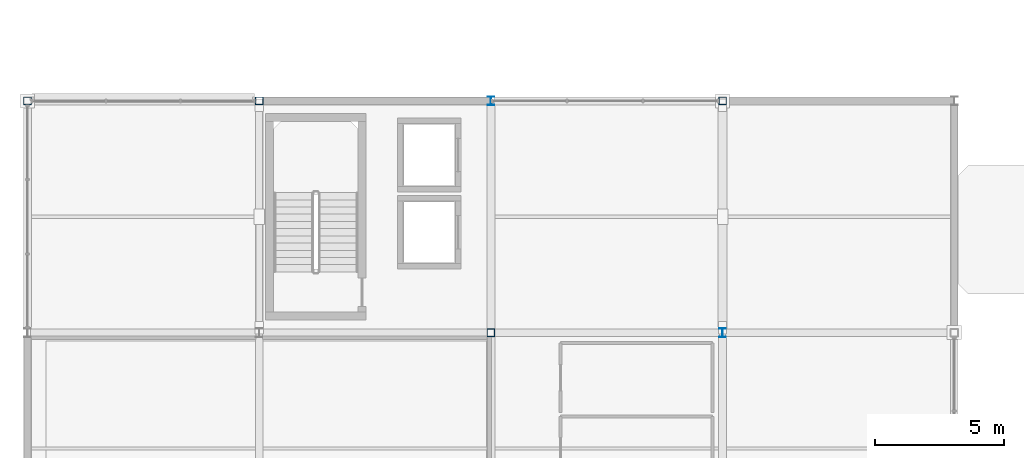
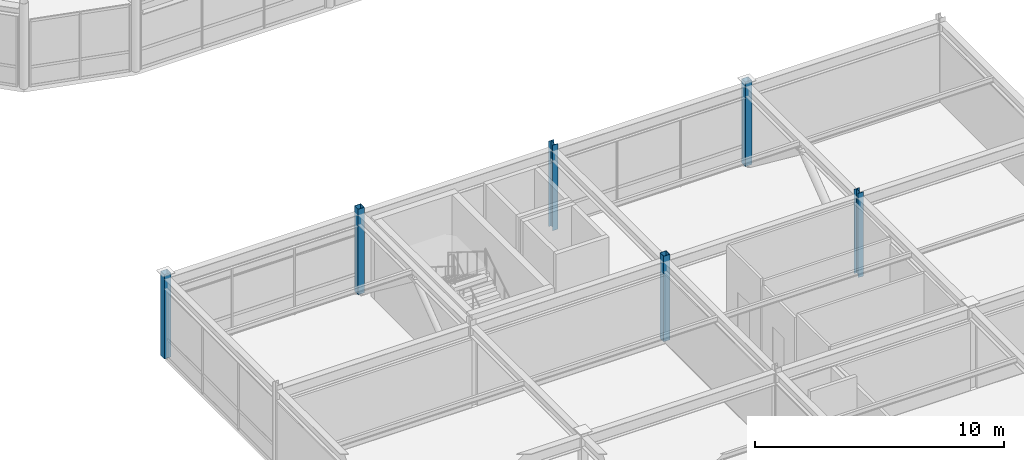
# One storey, part 4 of 108: 6 columns.
"""IFC4 building model written with IfcOpenShell, lengths in metres."""

from ifc_helpers import new_model, si_unit, direction, frame, origin, origin_2d, place, context, subcontext, project, spatial, hollow_rectangle, i_section, extrude, material, material_profile, profile_set, type_object, element, save


model = new_model("IFC4")

# Units and contexts
model_context = context("Model", 3, precision=1e-05, world=origin(), true_north=direction((0.0, 1.0)))
body_context = subcontext(model_context, "Body", "Model", "MODEL_VIEW")
ifc_project = project(units=[si_unit("LENGTHUNIT", "METRE"), si_unit("AREAUNIT", "SQUARE_METRE"), si_unit("VOLUMEUNIT", "CUBIC_METRE"), si_unit("PLANEANGLEUNIT", "RADIAN"), si_unit("MASSUNIT", "GRAM", prefix="KILO")], contexts=[model_context])

# Site, building, storey
site_placement = place(None, origin())
site = spatial("IfcSite", under=ifc_project, at=site_placement, CompositionType="ELEMENT")
building_placement = place(site_placement, origin())
building = spatial("IfcBuilding", under=site, at=building_placement, Name="Suzunagisa Mobility Hub", CompositionType="ELEMENT")
storey_placement = place(building_placement, frame((0.0, 0.0, 9.300048828125)))
storey = spatial("IfcBuildingStorey", under=building, at=storey_placement, Name="L02", CompositionType="ELEMENT", Elevation=9.300048828125)

# Columns
ifc_material = material(Name="Steel SN490B", Category="steel")
ifc_material_profile_1 = material_profile(ifc_material, i_section(OverallWidth=0.25, OverallDepth=0.340087890625, WebThickness=0.009033203125, FlangeThickness=0.013916015625, FilletRadius=0.010009765625, at=origin_2d()), Name="H-340x250x9x14")
ifc_profile_set_1 = profile_set([ifc_material_profile_1], Name="Steel SN490B")
column_type_1 = type_object("IfcColumnType", Name="Steel Column CL-02 H-340x250x9x14", PredefinedType="COLUMN", material=ifc_profile_set_1)
column_1_placement = place(storey_placement, frame((18.0, 62.0, 0.0), z_axis=(0.0, 0.0, 1.0), x_axis=(1.0, 0.0, 0.0)))
element("IfcColumn", 1, at=column_1_placement, inside=storey, type_object=column_type_1, Name="L02 Column 48", PredefinedType="COLUMN", context=body_context, shape_type="SweptSolid", body=[
    extrude(i_section(OverallWidth=0.25, OverallDepth=0.340087890625, WebThickness=0.009033203125, FlangeThickness=0.013916015625, FilletRadius=0.010009765625, at=origin_2d()), origin(), (0.0, 0.0, 1.0), 4.199951171875),
])
column_2_placement = place(storey_placement, frame((27.0, 53.0, 0.0), z_axis=(0.0, 0.0, 1.0), x_axis=(1.0, 0.0, 0.0)))
element("IfcColumn", 2, at=column_2_placement, inside=storey, type_object=column_type_1, Name="L02 Column 68", PredefinedType="COLUMN", context=body_context, shape_type="SweptSolid", body=[
    extrude(i_section(OverallWidth=0.25, OverallDepth=0.340087890625, WebThickness=0.009033203125, FlangeThickness=0.013916015625, FilletRadius=0.010009765625, at=origin_2d()), origin(), (0.0, 0.0, 1.0), 4.139892578125),
])
ifc_material_profile_2 = material_profile(ifc_material, hollow_rectangle(XDim=0.300048828125, YDim=0.300048828125, WallThickness=0.011962890625, at=origin_2d()), Name="BCR-300x300x12")
ifc_profile_set_2 = profile_set([ifc_material_profile_2], Name="Steel SN490B")
column_type_2 = type_object("IfcColumnType", Name="Steel Column CL-12 BCR-300x300x12", PredefinedType="COLUMN", material=ifc_profile_set_2)
column_3_placement = place(storey_placement, frame((0.0, 62.0, 0.0), z_axis=(0.0, 0.0, 1.0), x_axis=(1.0, 0.0, 0.0)))
element("IfcColumn", 3, at=column_3_placement, inside=storey, type_object=column_type_2, Name="L02 Column 7", PredefinedType="COLUMN", context=body_context, shape_type="SweptSolid", body=[
    extrude(hollow_rectangle(XDim=0.300048828125, YDim=0.300048828125, WallThickness=0.011962890625, at=origin_2d()), origin(), (0.0, 0.0, 1.0), 4.139892578125),
])
for number, where, z_axis, x_axis, name in (
    (4, (9.0, 62.0, 0.0), (0.0, 0.0, 1.0), (1.0, 0.0, 0.0), "L02 Column 27"),
    (5, (18.0, 53.0, 0.0), (0.0, 0.0, 1.0), (1.0, 0.0, 0.0), "L02 Column 47"),
):
    element("IfcColumn", number, at=place(storey_placement, frame(where, z_axis=z_axis, x_axis=x_axis)), inside=storey, type_object=column_type_2, Name=name, PredefinedType="COLUMN", context=body_context, shape_type="SweptSolid", body=[
        extrude(hollow_rectangle(XDim=0.300048828125, YDim=0.300048828125, WallThickness=0.011962890625, at=origin_2d()), origin(), (0.0, 0.0, 1.0), 4.199951171875),
    ])
column_4_placement = place(storey_placement, frame((27.0, 62.0, 0.0), z_axis=(0.0, 0.0, 1.0), x_axis=(1.0, 0.0, 0.0)))
element("IfcColumn", 6, at=column_4_placement, inside=storey, type_object=column_type_2, Name="L02 Column 69", PredefinedType="COLUMN", context=body_context, shape_type="SweptSolid", body=[
    extrude(hollow_rectangle(XDim=0.300048828125, YDim=0.300048828125, WallThickness=0.011962890625, at=origin_2d()), origin(), (0.0, 0.0, 1.0), 4.139892578125),
])

save(model, "model.ifc")
